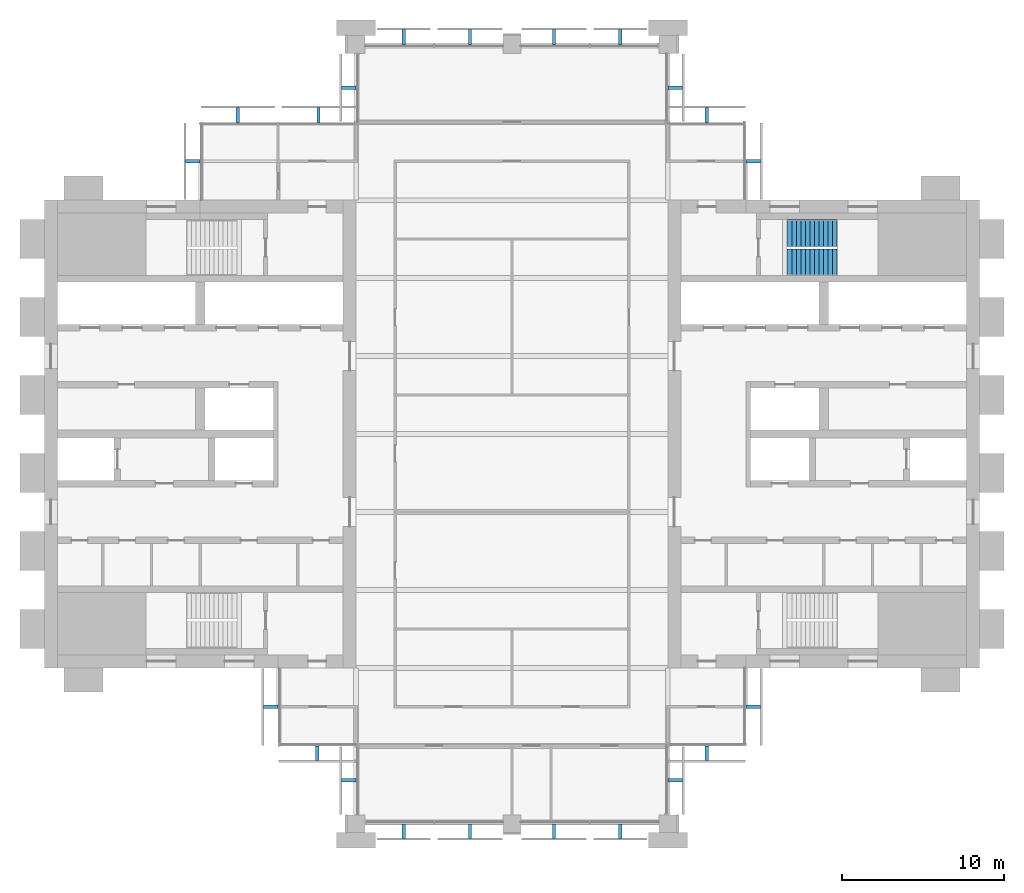
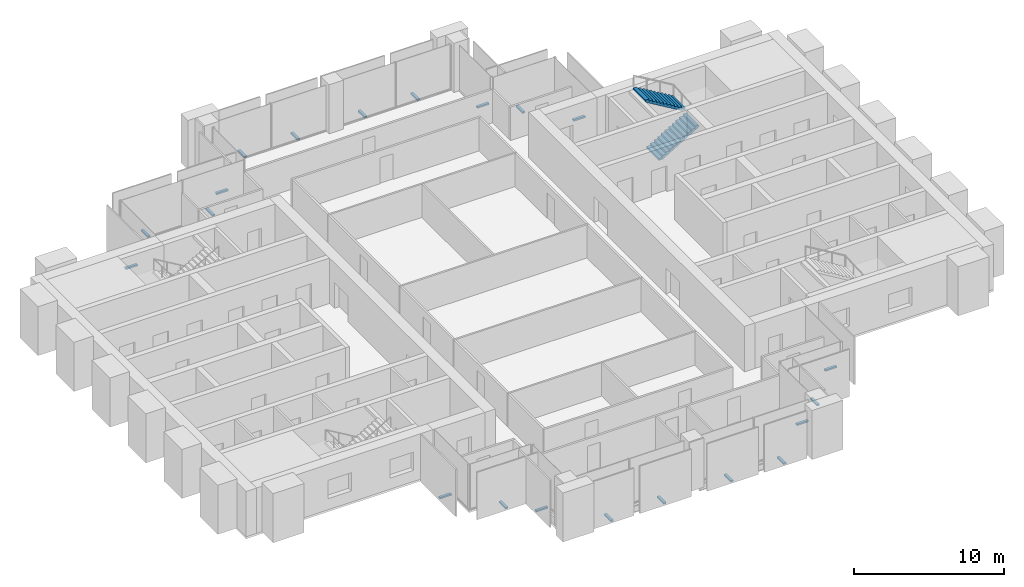
# One storey, part 12 of 13: 21 discrete accessories, 2 stair flights, 1 element without a shape of its own.
"""IFC4 building model written with IfcOpenShell, lengths in metres."""

from ifc_helpers import new_model, si_unit, direction, frame, origin, origin_2d, place, context, subcontext, project, spatial, polyline, rectangle, outline, extrude, material, type_object, element, aggregate, save


model = new_model("IFC4")

# Units and contexts
model_context = context("Model", 3, precision=1e-05, world=origin(), true_north=direction((0.0, 1.0)))
body_context = subcontext(model_context, "Body", "Model", "MODEL_VIEW")
ifc_project = project(units=[si_unit("LENGTHUNIT", "METRE"), si_unit("AREAUNIT", "SQUARE_METRE"), si_unit("VOLUMEUNIT", "CUBIC_METRE"), si_unit("PLANEANGLEUNIT", "RADIAN"), si_unit("MASSUNIT", "GRAM", prefix="KILO")], contexts=[model_context])

# Site, building, storey
site_placement = place(None, origin())
site = spatial("IfcSite", under=ifc_project, at=site_placement, CompositionType="ELEMENT")
building_placement = place(site_placement, origin())
building = spatial("IfcBuilding", under=site, at=building_placement, Name="Baori Bourse Tower", CompositionType="ELEMENT")
storey_placement = place(building_placement, frame((0.0, 0.0, 261.199951171875)))
storey = spatial("IfcBuildingStorey", under=building, at=storey_placement, Name="L58", CompositionType="ELEMENT", Elevation=261.199951171875)

# Stair, stair flights
ifc_material_1 = material(Name="Concrete f'c 50 MPa", Category="concrete")
stair_type = type_object("IfcStairType", Name="Core stair", PredefinedType="HALF_TURN_STAIR", material=ifc_material_1)
stair_placement = place(storey_placement, origin())
stair = element("IfcStair", 1, at=stair_placement, inside=storey, type_object=stair_type, Name="L58 Stair EB", PredefinedType="HALF_TURN_STAIR")
ifc_material_2 = material(Name="Concrete f'c 50 MPa", Category="concrete")
stair_flight_type = type_object("IfcStairFlightType", Name="Core stair flight", PredefinedType="STRAIGHT", material=ifc_material_2)
stair_flight_1_placement = place(storey_placement, frame((45.75, 34.574951171875, 0.0), z_axis=(0.0, 0.0, 1.0), x_axis=(1.0, 0.0, 0.0)))
stair_flight_1 = element("IfcStairFlight", 2, at=stair_flight_1_placement, type_object=stair_flight_type, Name="ST4 flight 1", NumberOfRisers=12, NumberOfTreads=11, PredefinedType="STRAIGHT", RiserHeight=0.166666667, TreadLength=0.28, context=body_context, shape_type="SweptSolid", body=[
    extrude(outline(polyline([(0.0, 0.0), (0.0, 0.166748046875), (0.280029296875, 0.166748046875), (0.280029296875, 0.333251953125), (0.56005859375, 0.333251953125), (0.56005859375, 0.5), (0.840087890625, 0.5), (0.840087890625, 0.666748046875), (1.1201171875, 0.666748046875), (1.1201171875, 0.833251953125), (1.39990234375, 0.833251953125), (1.39990234375, 1.0), (1.679931640625, 1.0), (1.679931640625, 1.166748046875), (1.9599609375, 1.166748046875), (1.9599609375, 1.333251953125), (2.239990234375, 1.333251953125), (2.239990234375, 1.5), (2.52001953125, 1.5), (2.52001953125, 1.666748046875), (2.800048828125, 1.666748046875), (2.800048828125, 1.833251953125), (3.080078125, 1.833251953125), (3.080078125, 2.0), (3.080078125, 1.658935546875), (0.29296875, 0.0), (0.0, 0.0)])), frame((0.0, 0.824951171875, 0.0), z_axis=(0.0, -1.0, 0.0), x_axis=(1.0, 0.0, 0.0)), (0.0, 0.0, 1.0), 1.64990234375),
])
stair_flight_2_placement = place(storey_placement, frame((48.830078125, 36.375, 2.0), z_axis=(0.0, 0.0, 1.0), x_axis=(-1.0, 0.0, 0.0)))
stair_flight_2 = element("IfcStairFlight", 3, at=stair_flight_2_placement, type_object=stair_flight_type, Name="ST4 flight 2", NumberOfRisers=12, NumberOfTreads=11, PredefinedType="STRAIGHT", RiserHeight=0.166666667, TreadLength=0.28, context=body_context, shape_type="SweptSolid", body=[
    extrude(outline(polyline([(0.0, 0.0), (0.0, 0.166748046875), (0.280029296875, 0.166748046875), (0.280029296875, 0.333251953125), (0.56005859375, 0.333251953125), (0.56005859375, 0.5), (0.840087890625, 0.5), (0.840087890625, 0.666748046875), (1.1201171875, 0.666748046875), (1.1201171875, 0.833251953125), (1.39990234375, 0.833251953125), (1.39990234375, 1.0), (1.679931640625, 1.0), (1.679931640625, 1.166748046875), (1.9599609375, 1.166748046875), (1.9599609375, 1.333251953125), (2.239990234375, 1.333251953125), (2.239990234375, 1.5), (2.52001953125, 1.5), (2.52001953125, 1.666748046875), (2.800048828125, 1.666748046875), (2.800048828125, 1.833251953125), (3.080078125, 1.833251953125), (3.080078125, 2.0), (3.080078125, 1.658935546875), (0.29296875, 0.0), (0.0, 0.0)])), frame((0.0, 0.824951171875, 0.0), z_axis=(0.0, -1.0, 0.0), x_axis=(1.0, 0.0, 0.0)), (0.0, 0.0, 1.0), 1.64990234375),
])
aggregate(stair, [stair_flight_1, stair_flight_2])

# Discrete accessories
ifc_material_3 = material(Name="Pale anodised aluminium", Category="aluminium")
discrete_accessory_type = type_object("IfcDiscreteAccessoryType", Name="OS2 Outer skin bracket", PredefinedType="BRACKET", material=ifc_material_3)
for number, where, z_axis, x_axis, name in (
    (4, (43.64990234375, 40.800048828125, -0.143798828125), (0.0, 0.0, 1.0), (0.0, 1.0, 0.0), "Outer skin bracket L58 1"),
    (5, (40.800048828125, 43.64990234375, -0.143798828125), (0.0, 0.0, 1.0), (-1.0, 0.0, 0.0), "Outer skin bracket L58 2"),
    (6, (38.85009765625, 45.324951171875, -0.143798828125), (0.0, 0.0, 1.0), (0.0, 1.0, 0.0), "Outer skin bracket L58 3"),
    (7, (35.46240234375, 48.449951171875, -0.143798828125), (0.0, 0.0, 1.0), (-1.0, 0.0, 0.0), "Outer skin bracket L58 4"),
    (8, (31.387451171875, 48.449951171875, -0.143798828125), (0.0, 0.0, 1.0), (-1.0, 0.0, 0.0), "Outer skin bracket L58 5"),
    (9, (26.21240234375, 48.449951171875, -0.143798828125), (0.0, 0.0, 1.0), (-1.0, 0.0, 0.0), "Outer skin bracket L58 6"),
    (10, (22.137451171875, 48.449951171875, -0.143798828125), (0.0, 0.0, 1.0), (-1.0, 0.0, 0.0), "Outer skin bracket L58 7"),
    (11, (18.75, 45.324951171875, -0.143798828125), (0.0, 0.0, 1.0), (0.0, -1.0, 0.0), "Outer skin bracket L58 8"),
    (12, (16.887451171875, 43.64990234375, -0.143798828125), (0.0, 0.0, 1.0), (-1.0, 0.0, 0.0), "Outer skin bracket L58 9"),
    (13, (11.91259765625, 43.64990234375, -0.143798828125), (0.0, 0.0, 1.0), (-1.0, 0.0, 0.0), "Outer skin bracket L58 10"),
    (14, (9.14990234375, 40.800048828125, -0.143798828125), (0.0, 0.0, 1.0), (0.0, -1.0, 0.0), "Outer skin bracket L58 11"),
    (15, (13.949951171875, 7.199951171875, -0.143798828125), (0.0, 0.0, 1.0), (0.0, -1.0, 0.0), "Outer skin bracket L58 12"),
    (16, (16.800048828125, 4.35009765625, -0.143798828125), (0.0, 0.0, 1.0), (1.0, 0.0, 0.0), "Outer skin bracket L58 13"),
    (17, (18.75, 2.675048828125, -0.143798828125), (0.0, 0.0, 1.0), (0.0, -1.0, 0.0), "Outer skin bracket L58 14"),
    (18, (22.137451171875, -0.449951171875, -0.143798828125), (0.0, 0.0, 1.0), (1.0, 0.0, 0.0), "Outer skin bracket L58 15"),
    (19, (26.21240234375, -0.449951171875, -0.143798828125), (0.0, 0.0, 1.0), (1.0, 0.0, 0.0), "Outer skin bracket L58 16"),
    (20, (31.387451171875, -0.449951171875, -0.143798828125), (0.0, 0.0, 1.0), (1.0, 0.0, 0.0), "Outer skin bracket L58 17"),
    (21, (35.46240234375, -0.449951171875, -0.143798828125), (0.0, 0.0, 1.0), (1.0, 0.0, 0.0), "Outer skin bracket L58 18"),
    (22, (38.85009765625, 2.675048828125, -0.143798828125), (0.0, 0.0, 1.0), (0.0, 1.0, 0.0), "Outer skin bracket L58 19"),
    (23, (40.800048828125, 4.35009765625, -0.143798828125), (0.0, 0.0, 1.0), (1.0, 0.0, 0.0), "Outer skin bracket L58 20"),
    (24, (43.64990234375, 7.199951171875, -0.143798828125), (0.0, 0.0, 1.0), (0.0, 1.0, 0.0), "Outer skin bracket L58 21"),
):
    element("IfcDiscreteAccessory", number, at=place(storey_placement, frame(where, z_axis=z_axis, x_axis=x_axis)), inside=storey, type_object=discrete_accessory_type, Name=name, PredefinedType="BRACKET", context=body_context, shape_type="SweptSolid", body=[
        extrude(rectangle(XDim=0.199951171875, YDim=0.89990234375, at=origin_2d()), origin(), (0.0, 0.0, 1.0), 0.1279296875),
    ])

save(model, "model.ifc")
